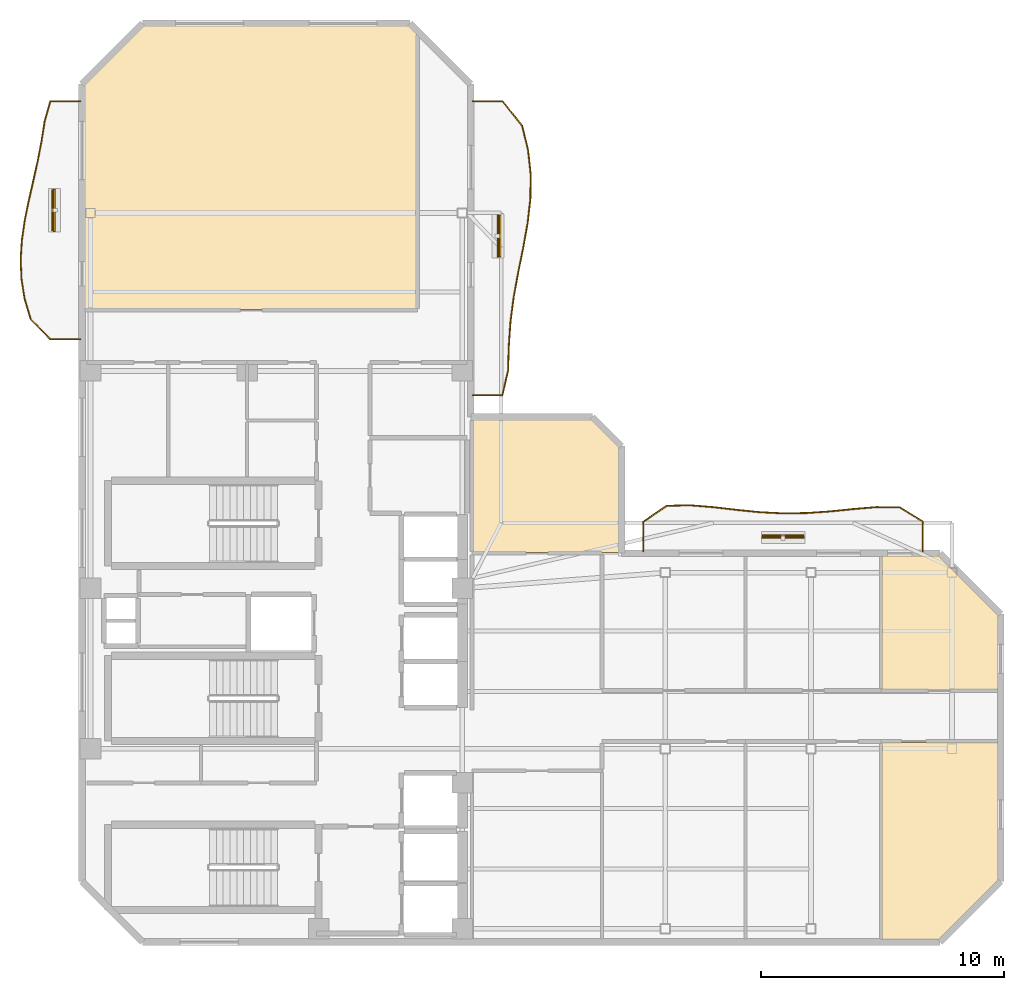
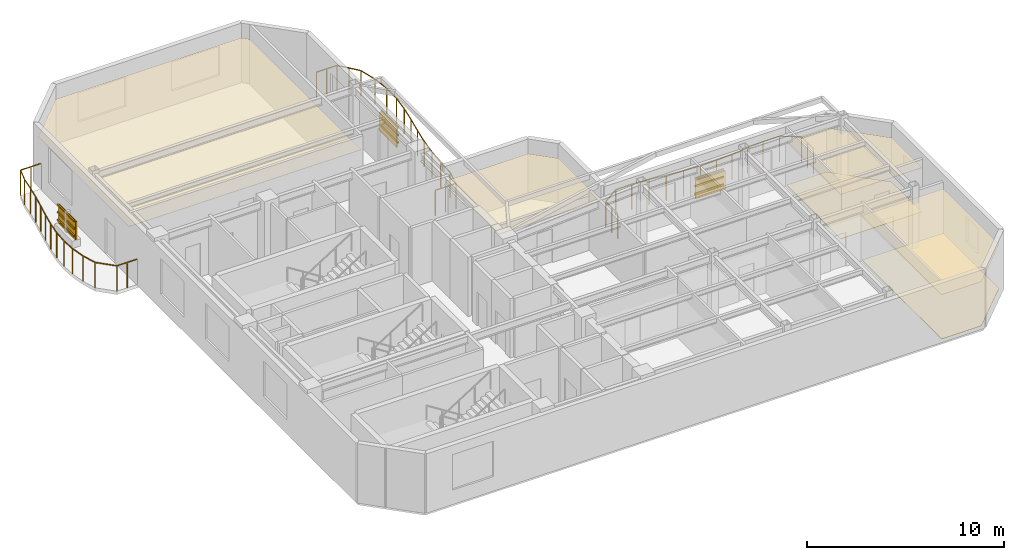
# One storey, part 7 of 7: 12 shading devices, 6 coverings, 3 railings.
"""IFC4 building model written with IfcOpenShell, lengths in metres."""

from ifc_helpers import new_model, si_unit, direction, frame, origin, origin_2d, place, context, subcontext, project, spatial, polyline, rectangle, outline, extrude, material, layer, layer_set, material_profile, profile_set, type_object, element, save


model = new_model("IFC4")

# Units and contexts
model_context = context("Model", 3, precision=1e-05, world=origin(), true_north=direction((0.0, 1.0)))
body_context = subcontext(model_context, "Body", "Model", "MODEL_VIEW")
ifc_project = project(units=[si_unit("LENGTHUNIT", "METRE"), si_unit("AREAUNIT", "SQUARE_METRE"), si_unit("VOLUMEUNIT", "CUBIC_METRE"), si_unit("PLANEANGLEUNIT", "RADIAN"), si_unit("MASSUNIT", "GRAM", prefix="KILO")], contexts=[model_context])

# Site, building, storey
site_placement = place(None, origin())
site = spatial("IfcSite", under=ifc_project, at=site_placement, CompositionType="ELEMENT")
building_placement = place(site_placement, origin())
building = spatial("IfcBuilding", under=site, at=building_placement, Name="Mawjaban Terraces University", CompositionType="ELEMENT")
storey_placement = place(building_placement, frame((0.0, 0.0, 287.199951171875)))
storey = spatial("IfcBuildingStorey", under=building, at=storey_placement, Name="L70", CompositionType="ELEMENT", Elevation=287.199951171875)

# Coverings
ifc_material_1 = material(Name="Acoustic mineral fibre ceiling tile", Category="masonry")
ifc_layer_1 = layer(ifc_material_1, 0.02001953125)
ifc_layer_set_1 = layer_set([ifc_layer_1], Name="Acoustic mineral fibre ceiling tile")
covering_type_1 = type_object("IfcCoveringType", Name="AcousticMineralCeiling_20", PredefinedType="CEILING", material=ifc_layer_set_1)
covering_1_placement = place(storey_placement, frame((0.0, 0.0, 2.75)))
element("IfcCovering", 1, at=covering_1_placement, inside=storey, type_object=covering_type_1, Name="L70 Classroom 6 Acoustic Ceiling", PredefinedType="CEILING", context=body_context, shape_type="SweptSolid", body=[
    extrude(outline(polyline([(54.909912109375, 0.114990234375), (57.2529296875, 0.114990234375), (59.68505859375, 2.547119140625), (59.68505859375, 8.219970703125), (54.909912109375, 8.219970703125), (54.909912109375, 0.114990234375)])), origin(), (0.0, 0.0, 1.0), 0.02001953125),
])
covering_2_placement = place(storey_placement, frame((0.0, 0.0, 2.75)))
element("IfcCovering", 2, at=covering_2_placement, inside=storey, type_object=covering_type_1, Name="L70 Seminar Room 7 Acoustic Ceiling", PredefinedType="CEILING", context=body_context, shape_type="SweptSolid", body=[
    extrude(outline(polyline([(59.68505859375, 10.3798828125), (59.68505859375, 13.452880859375), (57.2529296875, 15.885009765625), (54.909912109375, 15.885009765625), (54.909912109375, 10.3798828125), (59.68505859375, 10.3798828125)])), origin(), (0.0, 0.0, 1.0), 0.02001953125),
])
covering_3_placement = place(storey_placement, frame((0.0, 0.0, 2.75)))
element("IfcCovering", 3, at=covering_3_placement, inside=storey, type_object=covering_type_1, Name="L70 Collaborative Study Room 8 Acoustic Ceiling", PredefinedType="CEILING", context=body_context, shape_type="SweptSolid", body=[
    extrude(outline(polyline([(35.77001953125, 37.367919921875), (35.452880859375, 37.68505859375), (24.547119140625, 37.68505859375), (22.114990234375, 35.2529296875), (22.114990234375, 26.030029296875), (35.77001953125, 26.030029296875), (35.77001953125, 37.367919921875)])), origin(), (0.0, 0.0, 1.0), 0.02001953125),
])
covering_4_placement = place(storey_placement, frame((0.0, 0.0, 2.75)))
element("IfcCovering", 4, at=covering_4_placement, inside=storey, type_object=covering_type_1, Name="L70 Terrace Collaborative Study Room Acoustic Ceiling", PredefinedType="CEILING", context=body_context, shape_type="SweptSolid", body=[
    extrude(outline(polyline([(44.0849609375, 16.030029296875), (44.0849609375, 20.35302734375), (42.952880859375, 21.485107421875), (38.080078125, 21.485107421875), (38.080078125, 16.030029296875), (44.0849609375, 16.030029296875)])), origin(), (0.0, 0.0, 1.0), 0.02001953125),
])

# Railings
ifc_material_2 = material(Name="Galvanised powder-coated steel S355", Category="steel")
railing_type = type_object("IfcRailingType", Name="BalconyBalustrade_1600", PredefinedType="BALUSTRADE", material=ifc_material_2)
railing_1_placement = place(storey_placement, frame((21.919921875, 24.800048828125, 0.0)))
element("IfcRailing", 5, at=railing_1_placement, inside=storey, type_object=railing_type, Name="L70 Balcony Guardrail west", PredefinedType="BALUSTRADE", context=body_context, shape_type="SweptSolid", body=[
    extrude(rectangle(XDim=0.048095703125, YDim=0.048095703125, at=origin_2d()), frame((0.0, 0.0, 1.576171875), z_axis=(-1.0, 0.0, 0.0), x_axis=(0.0, -1.0, 0.0)), (0.0, 0.0, 1.0), 1.219970703125),
    extrude(rectangle(XDim=0.048095703125, YDim=0.048095703125, at=origin_2d()), frame((-1.219970703125, 0.0, 1.576171875), z_axis=(-0.703164591204, 0.711027114587, 0.0), x_axis=(-0.711027114587, -0.703164591204, 0.0)), (0.0, 0.0, 1.0), 1.14892578125),
    extrude(rectangle(XDim=0.048095703125, YDim=0.048095703125, at=origin_2d()), frame((-2.02783203125, 0.81689453125, 1.576171875), z_axis=(-0.28973721519, 0.957106235553, 0.0), x_axis=(-0.957106235553, -0.28973721519, 0.0)), (0.0, 0.0, 1.0), 0.852783203125),
    extrude(rectangle(XDim=0.048095703125, YDim=0.048095703125, at=origin_2d()), frame((-2.27490234375, 1.633056640625, 1.576171875), z_axis=(-0.161911564393, 0.986805272238, 0.0), x_axis=(-0.986805272238, -0.161911564393, 0.0)), (0.0, 0.0, 1.0), 0.827880859375),
    extrude(rectangle(XDim=0.048095703125, YDim=0.048095703125, at=origin_2d()), frame((-2.408935546875, 2.449951171875, 1.576171875), z_axis=(-0.043890717784, 0.999036338124, 0.0), x_axis=(-0.999036338124, -0.043890717784, 0.0)), (0.0, 0.0, 1.0), 0.817626953125),
    extrude(rectangle(XDim=0.048095703125, YDim=0.048095703125, at=origin_2d()), frame((-2.44482421875, 3.266845703125, 1.576171875), z_axis=(0.060909730436, 0.998143278662, 0.0), x_axis=(-0.998143278662, 0.060909730436, 0.0)), (0.0, 0.0, 1.0), 0.817626953125),
    extrude(rectangle(XDim=0.048095703125, YDim=0.048095703125, at=origin_2d()), frame((-2.39501953125, 4.0830078125, 1.576171875), z_axis=(0.144318958771, 0.989531221407, 0.0), x_axis=(-0.989531221407, 0.144318958771, 0.0)), (0.0, 0.0, 1.0), 0.825439453125),
    extrude(rectangle(XDim=0.048095703125, YDim=0.048095703125, at=origin_2d()), frame((-2.27587890625, 4.89990234375, 1.576171875), z_axis=(0.200223819976, 0.979750183421, 0.0), x_axis=(-0.979750183421, 0.200223819976, 0.0)), (0.0, 0.0, 1.0), 0.833984375),
    extrude(rectangle(XDim=0.048095703125, YDim=0.048095703125, at=origin_2d()), frame((-2.10888671875, 5.717041015625, 1.576171875), z_axis=(0.223410794453, 0.974724379977, 0.0), x_axis=(-0.974724379977, 0.223410794453, 0.0)), (0.0, 0.0, 1.0), 0.837158203125),
    extrude(rectangle(XDim=0.048095703125, YDim=0.048095703125, at=origin_2d()), frame((-1.921875, 6.532958984375, 1.576171875), z_axis=(0.216219794683, 0.976344713914, 0.0), x_axis=(-0.976344713914, 0.216219794683, 0.0)), (0.0, 0.0, 1.0), 0.836669921875),
    extrude(rectangle(XDim=0.048095703125, YDim=0.048095703125, at=origin_2d()), frame((-1.740966796875, 7.349853515625, 1.576171875), z_axis=(0.189793875394, 0.981823958183, 0.0), x_axis=(-0.981823958183, 0.189793875394, 0.0)), (0.0, 0.0, 1.0), 0.832275390625),
    extrude(rectangle(XDim=0.048095703125, YDim=0.048095703125, at=origin_2d()), frame((-1.5830078125, 8.1669921875, 1.576171875), z_axis=(0.155188381216, 0.987884895287, 0.0), x_axis=(-0.987884895287, 0.155188381216, 0.0)), (0.0, 0.0, 1.0), 0.825927734375),
    extrude(rectangle(XDim=0.048095703125, YDim=0.048095703125, at=origin_2d()), frame((-1.454833984375, 8.98291015625, 1.576171875), z_axis=(0.276237802113, 0.961089317745, 0.0), x_axis=(-0.961089317745, 0.276237802113, 0.0)), (0.0, 0.0, 1.0), 0.850341796875),
    extrude(rectangle(XDim=0.048095703125, YDim=0.048095703125, at=origin_2d()), frame((-1.219970703125, 9.800048828125, 1.576171875), z_axis=(1.0, 0.0, 0.0), x_axis=(0.0, 1.0, 0.0)), (0.0, 0.0, 1.0), 1.219970703125),
    extrude(rectangle(XDim=0.0419921875, YDim=0.0419921875, at=origin_2d()), origin(), (0.0, 0.0, 1.0), 1.552001953125),
    extrude(rectangle(XDim=0.0419921875, YDim=0.0419921875, at=origin_2d()), frame((-0.60986328125, 0.0, 0.0)), (0.0, 0.0, 1.0), 1.552001953125),
    extrude(rectangle(XDim=0.0419921875, YDim=0.0419921875, at=origin_2d()), frame((-1.219970703125, 0.0, 0.0)), (0.0, 0.0, 1.0), 1.552001953125),
    extrude(rectangle(XDim=0.0419921875, YDim=0.0419921875, at=origin_2d()), frame((-2.02783203125, 0.81689453125, 0.0)), (0.0, 0.0, 1.0), 1.552001953125),
    extrude(rectangle(XDim=0.0419921875, YDim=0.0419921875, at=origin_2d()), frame((-2.27490234375, 1.633056640625, 0.0)), (0.0, 0.0, 1.0), 1.552001953125),
    extrude(rectangle(XDim=0.0419921875, YDim=0.0419921875, at=origin_2d()), frame((-2.408935546875, 2.449951171875, 0.0)), (0.0, 0.0, 1.0), 1.552001953125),
    extrude(rectangle(XDim=0.0419921875, YDim=0.0419921875, at=origin_2d()), frame((-2.44482421875, 3.266845703125, 0.0)), (0.0, 0.0, 1.0), 1.552001953125),
    extrude(rectangle(XDim=0.0419921875, YDim=0.0419921875, at=origin_2d()), frame((-2.39501953125, 4.0830078125, 0.0)), (0.0, 0.0, 1.0), 1.552001953125),
    extrude(rectangle(XDim=0.0419921875, YDim=0.0419921875, at=origin_2d()), frame((-2.27587890625, 4.89990234375, 0.0)), (0.0, 0.0, 1.0), 1.552001953125),
    extrude(rectangle(XDim=0.0419921875, YDim=0.0419921875, at=origin_2d()), frame((-2.10888671875, 5.717041015625, 0.0)), (0.0, 0.0, 1.0), 1.552001953125),
    extrude(rectangle(XDim=0.0419921875, YDim=0.0419921875, at=origin_2d()), frame((-1.921875, 6.532958984375, 0.0)), (0.0, 0.0, 1.0), 1.552001953125),
    extrude(rectangle(XDim=0.0419921875, YDim=0.0419921875, at=origin_2d()), frame((-1.740966796875, 7.349853515625, 0.0)), (0.0, 0.0, 1.0), 1.552001953125),
    extrude(rectangle(XDim=0.0419921875, YDim=0.0419921875, at=origin_2d()), frame((-1.5830078125, 8.1669921875, 0.0)), (0.0, 0.0, 1.0), 1.552001953125),
    extrude(rectangle(XDim=0.0419921875, YDim=0.0419921875, at=origin_2d()), frame((-1.454833984375, 8.98291015625, 0.0)), (0.0, 0.0, 1.0), 1.552001953125),
    extrude(rectangle(XDim=0.0419921875, YDim=0.0419921875, at=origin_2d()), frame((-1.219970703125, 9.800048828125, 0.0)), (0.0, 0.0, 1.0), 1.552001953125),
    extrude(rectangle(XDim=0.0419921875, YDim=0.0419921875, at=origin_2d()), frame((-0.60986328125, 9.800048828125, 0.0)), (0.0, 0.0, 1.0), 1.552001953125),
    extrude(rectangle(XDim=0.0419921875, YDim=0.0419921875, at=origin_2d()), frame((0.0, 9.800048828125, 0.0)), (0.0, 0.0, 1.0), 1.552001953125),
])
railing_2_placement = place(storey_placement, frame((45.10009765625, 16.080078125, 0.0)))
element("IfcRailing", 6, at=railing_2_placement, inside=storey, type_object=railing_type, Name="L70 Balcony Guardrail inner_north", PredefinedType="BALUSTRADE", context=body_context, shape_type="SweptSolid", body=[
    extrude(rectangle(XDim=0.048095703125, YDim=0.048095703125, at=origin_2d()), frame((0.0, 0.0, 1.576171875), z_axis=(0.0, 1.0, 0.0), x_axis=(-1.0, 0.0, 0.0)), (0.0, 0.0, 1.0), 1.219970703125),
    extrude(rectangle(XDim=0.048095703125, YDim=0.048095703125, at=origin_2d()), frame((0.0, 1.219970703125, 1.576171875), z_axis=(0.827153833167, 0.561975565551, 0.0), x_axis=(-0.561975565551, 0.827153833167, 0.0)), (0.0, 0.0, 1.0), 1.158203125),
    extrude(rectangle(XDim=0.048095703125, YDim=0.048095703125, at=origin_2d()), frame((0.9580078125, 1.870849609375, 1.576171875), z_axis=(0.999682538847, 0.025195664803, 0.0), x_axis=(-0.025195664803, 0.999682538847, 0.0)), (0.0, 0.0, 1.0), 0.959228515625),
    extrude(rectangle(XDim=0.048095703125, YDim=0.048095703125, at=origin_2d()), frame((1.9169921875, 1.89501953125, 1.576171875), z_axis=(0.996608527506, -0.0822887775, 0.0), x_axis=(0.0822887775, 0.996608527506, 0.0)), (0.0, 0.0, 1.0), 0.961181640625),
    extrude(rectangle(XDim=0.048095703125, YDim=0.048095703125, at=origin_2d()), frame((2.875, 1.81591796875, 1.576171875), z_axis=(0.993344476803, -0.115181380465, 0.0), x_axis=(0.115181380465, 0.993344476803, 0.0)), (0.0, 0.0, 1.0), 0.96435546875),
    extrude(rectangle(XDim=0.048095703125, YDim=0.048095703125, at=origin_2d()), frame((3.8330078125, 1.704833984375, 1.576171875), z_axis=(0.995032172752, -0.099553880828, 0.0), x_axis=(0.099553880828, 0.995032172752, 0.0)), (0.0, 0.0, 1.0), 0.9638671875),
    extrude(rectangle(XDim=0.048095703125, YDim=0.048095703125, at=origin_2d()), frame((4.7919921875, 1.60888671875, 1.576171875), z_axis=(0.998690665791, -0.051156173248, 0.0), x_axis=(0.051156173248, 0.998690665791, 0.0)), (0.0, 0.0, 1.0), 0.959228515625),
    extrude(rectangle(XDim=0.048095703125, YDim=0.048095703125, at=origin_2d()), frame((5.75, 1.559814453125, 1.576171875), z_axis=(0.999905324448, 0.013760165015, 0.0), x_axis=(-0.013760165015, 0.999905324448, 0.0)), (0.0, 0.0, 1.0), 0.9580078125),
    extrude(rectangle(XDim=0.048095703125, YDim=0.048095703125, at=origin_2d()), frame((6.7080078125, 1.572998046875, 1.576171875), z_axis=(0.997575920892, 0.06958650772, 0.0), x_axis=(-0.06958650772, 0.997575920892, 0.0)), (0.0, 0.0, 1.0), 0.96142578125),
    extrude(rectangle(XDim=0.048095703125, YDim=0.048095703125, at=origin_2d()), frame((7.6669921875, 1.639892578125, 1.576171875), z_axis=(0.994921042981, 0.100658423564, 0.0), x_axis=(-0.100658423564, 0.994921042981, 0.0)), (0.0, 0.0, 1.0), 0.962890625),
    extrude(rectangle(XDim=0.048095703125, YDim=0.048095703125, at=origin_2d()), frame((8.625, 1.73681640625, 1.576171875), z_axis=(0.996524709254, 0.083297682119, 0.0), x_axis=(-0.083297682119, 0.996524709254, 0.0)), (0.0, 0.0, 1.0), 0.96142578125),
    extrude(rectangle(XDim=0.048095703125, YDim=0.048095703125, at=origin_2d()), frame((9.5830078125, 1.81689453125, 1.576171875), z_axis=(0.999987037804, -0.005091583696, 0.0), x_axis=(0.005091583696, 0.999987037804, 0.0)), (0.0, 0.0, 1.0), 0.958984375),
    extrude(rectangle(XDim=0.048095703125, YDim=0.048095703125, at=origin_2d()), frame((10.5419921875, 1.81201171875, 1.576171875), z_axis=(0.850666840673, -0.525705170395, 0.0), x_axis=(0.525705170395, 0.850666840673, 0.0)), (0.0, 0.0, 1.0), 1.126220703125),
    extrude(rectangle(XDim=0.048095703125, YDim=0.048095703125, at=origin_2d()), frame((11.5, 1.219970703125, 1.576171875), z_axis=(0.0, -1.0, 0.0), x_axis=(1.0, 0.0, 0.0)), (0.0, 0.0, 1.0), 1.219970703125),
    extrude(rectangle(XDim=0.0419921875, YDim=0.0419921875, at=origin_2d()), origin(), (0.0, 0.0, 1.0), 1.552001953125),
    extrude(rectangle(XDim=0.0419921875, YDim=0.0419921875, at=origin_2d()), frame((0.0, 0.60986328125, 0.0)), (0.0, 0.0, 1.0), 1.552001953125),
    extrude(rectangle(XDim=0.0419921875, YDim=0.0419921875, at=origin_2d()), frame((0.0, 1.219970703125, 0.0)), (0.0, 0.0, 1.0), 1.552001953125),
    extrude(rectangle(XDim=0.0419921875, YDim=0.0419921875, at=origin_2d()), frame((0.9580078125, 1.870849609375, 0.0)), (0.0, 0.0, 1.0), 1.552001953125),
    extrude(rectangle(XDim=0.0419921875, YDim=0.0419921875, at=origin_2d()), frame((1.9169921875, 1.89501953125, 0.0)), (0.0, 0.0, 1.0), 1.552001953125),
    extrude(rectangle(XDim=0.0419921875, YDim=0.0419921875, at=origin_2d()), frame((2.875, 1.81591796875, 0.0)), (0.0, 0.0, 1.0), 1.552001953125),
    extrude(rectangle(XDim=0.0419921875, YDim=0.0419921875, at=origin_2d()), frame((3.8330078125, 1.704833984375, 0.0)), (0.0, 0.0, 1.0), 1.552001953125),
    extrude(rectangle(XDim=0.0419921875, YDim=0.0419921875, at=origin_2d()), frame((4.7919921875, 1.60888671875, 0.0)), (0.0, 0.0, 1.0), 1.552001953125),
    extrude(rectangle(XDim=0.0419921875, YDim=0.0419921875, at=origin_2d()), frame((5.75, 1.559814453125, 0.0)), (0.0, 0.0, 1.0), 1.552001953125),
    extrude(rectangle(XDim=0.0419921875, YDim=0.0419921875, at=origin_2d()), frame((6.7080078125, 1.572998046875, 0.0)), (0.0, 0.0, 1.0), 1.552001953125),
    extrude(rectangle(XDim=0.0419921875, YDim=0.0419921875, at=origin_2d()), frame((7.6669921875, 1.639892578125, 0.0)), (0.0, 0.0, 1.0), 1.552001953125),
    extrude(rectangle(XDim=0.0419921875, YDim=0.0419921875, at=origin_2d()), frame((8.625, 1.73681640625, 0.0)), (0.0, 0.0, 1.0), 1.552001953125),
    extrude(rectangle(XDim=0.0419921875, YDim=0.0419921875, at=origin_2d()), frame((9.5830078125, 1.81689453125, 0.0)), (0.0, 0.0, 1.0), 1.552001953125),
    extrude(rectangle(XDim=0.0419921875, YDim=0.0419921875, at=origin_2d()), frame((10.5419921875, 1.81201171875, 0.0)), (0.0, 0.0, 1.0), 1.552001953125),
    extrude(rectangle(XDim=0.0419921875, YDim=0.0419921875, at=origin_2d()), frame((11.5, 1.219970703125, 0.0)), (0.0, 0.0, 1.0), 1.552001953125),
    extrude(rectangle(XDim=0.0419921875, YDim=0.0419921875, at=origin_2d()), frame((11.5, 0.60986328125, 0.0)), (0.0, 0.0, 1.0), 1.552001953125),
    extrude(rectangle(XDim=0.0419921875, YDim=0.0419921875, at=origin_2d()), frame((11.5, 0.0, 0.0)), (0.0, 0.0, 1.0), 1.552001953125),
])
railing_3_placement = place(storey_placement, frame((38.080078125, 22.5, 0.0)))
element("IfcRailing", 7, at=railing_3_placement, inside=storey, type_object=railing_type, Name="L70 Balcony Guardrail inner_east", PredefinedType="BALUSTRADE", context=body_context, shape_type="SweptSolid", body=[
    extrude(rectangle(XDim=0.048095703125, YDim=0.048095703125, at=origin_2d()), frame((0.0, 0.0, 1.576171875), z_axis=(1.0, 0.0, 0.0), x_axis=(0.0, 1.0, 0.0)), (0.0, 0.0, 1.0), 1.219970703125),
    extrude(rectangle(XDim=0.048095703125, YDim=0.048095703125, at=origin_2d()), frame((1.219970703125, 0.0, 1.576171875), z_axis=(0.226013778766, 0.974124104931, 0.0), x_axis=(-0.974124104931, 0.226013778766, 0.0)), (0.0, 0.0, 1.0), 1.034912109375),
    extrude(rectangle(XDim=0.048095703125, YDim=0.048095703125, at=origin_2d()), frame((1.453857421875, 1.008056640625, 1.576171875), z_axis=(0.030713787559, 0.999528220339, 0.0), x_axis=(-0.999528220339, 0.030713787559, 0.0)), (0.0, 0.0, 1.0), 1.009521484375),
    extrude(rectangle(XDim=0.048095703125, YDim=0.048095703125, at=origin_2d()), frame((1.48486328125, 2.01708984375, 1.576171875), z_axis=(0.069357766738, 0.997591850505, 0.0), x_axis=(-0.997591850505, 0.069357766738, 0.0)), (0.0, 0.0, 1.0), 1.01025390625),
    extrude(rectangle(XDim=0.048095703125, YDim=0.048095703125, at=origin_2d()), frame((1.554931640625, 3.02490234375, 1.576171875), z_axis=(0.128969550402, 0.991648554211, 0.0), x_axis=(-0.991648554211, 0.128969550402, 0.0)), (0.0, 0.0, 1.0), 1.0166015625),
    extrude(rectangle(XDim=0.048095703125, YDim=0.048095703125, at=origin_2d()), frame((1.68603515625, 4.032958984375, 1.576171875), z_axis=(0.179241529176, 0.983805099712, 0.0), x_axis=(-0.983805099712, 0.179241529176, 0.0)), (0.0, 0.0, 1.0), 1.025634765625),
    extrude(rectangle(XDim=0.048095703125, YDim=0.048095703125, at=origin_2d()), frame((1.869873046875, 5.0419921875, 1.576171875), z_axis=(0.198443661805, 0.980112296163, 0.0), x_axis=(-0.980112296163, 0.198443661805, 0.0)), (0.0, 0.0, 1.0), 1.028564453125),
    extrude(rectangle(XDim=0.048095703125, YDim=0.048095703125, at=origin_2d()), frame((2.073974609375, 6.050048828125, 1.576171875), z_axis=(0.177563915332, 0.984109270342, 0.0), x_axis=(-0.984109270342, 0.177563915332, 0.0)), (0.0, 0.0, 1.0), 1.0244140625),
    extrude(rectangle(XDim=0.048095703125, YDim=0.048095703125, at=origin_2d()), frame((2.255859375, 7.05810546875, 1.576171875), z_axis=(0.114204310259, 0.993457284194, 0.0), x_axis=(-0.993457284194, 0.114204310259, 0.0)), (0.0, 0.0, 1.0), 1.015380859375),
    extrude(rectangle(XDim=0.048095703125, YDim=0.048095703125, at=origin_2d()), frame((2.371826171875, 8.06689453125, 1.576171875), z_axis=(0.015014049778, 0.999887282802, 0.0), x_axis=(-0.999887282802, 0.015014049778, 0.0)), (0.0, 0.0, 1.0), 1.008056640625),
    extrude(rectangle(XDim=0.048095703125, YDim=0.048095703125, at=origin_2d()), frame((2.386962890625, 9.074951171875, 1.576171875), z_axis=(-0.106677667668, 0.994293656432, 0.0), x_axis=(-0.994293656432, -0.106677667668, 0.0)), (0.0, 0.0, 1.0), 1.013916015625),
    extrude(rectangle(XDim=0.048095703125, YDim=0.048095703125, at=origin_2d()), frame((2.27880859375, 10.0830078125, 1.576171875), z_axis=(-0.236723471326, 0.971577067516, 0.0), x_axis=(-0.971577067516, -0.236723471326, 0.0)), (0.0, 0.0, 1.0), 1.03857421875),
    extrude(rectangle(XDim=0.048095703125, YDim=0.048095703125, at=origin_2d()), frame((2.032958984375, 11.092041015625, 1.576171875), z_axis=(-0.627770875078, 0.778398181141, 0.0), x_axis=(-0.778398181141, -0.627770875078, 0.0)), (0.0, 0.0, 1.0), 1.294921875),
    extrude(rectangle(XDim=0.048095703125, YDim=0.048095703125, at=origin_2d()), frame((1.219970703125, 12.10009765625, 1.576171875), z_axis=(-1.0, 0.0, 0.0), x_axis=(0.0, -1.0, 0.0)), (0.0, 0.0, 1.0), 1.219970703125),
    extrude(rectangle(XDim=0.0419921875, YDim=0.0419921875, at=origin_2d()), origin(), (0.0, 0.0, 1.0), 1.552001953125),
    extrude(rectangle(XDim=0.0419921875, YDim=0.0419921875, at=origin_2d()), frame((0.60986328125, 0.0, 0.0)), (0.0, 0.0, 1.0), 1.552001953125),
    extrude(rectangle(XDim=0.0419921875, YDim=0.0419921875, at=origin_2d()), frame((1.219970703125, 0.0, 0.0)), (0.0, 0.0, 1.0), 1.552001953125),
    extrude(rectangle(XDim=0.0419921875, YDim=0.0419921875, at=origin_2d()), frame((1.453857421875, 1.008056640625, 0.0)), (0.0, 0.0, 1.0), 1.552001953125),
    extrude(rectangle(XDim=0.0419921875, YDim=0.0419921875, at=origin_2d()), frame((1.48486328125, 2.01708984375, 0.0)), (0.0, 0.0, 1.0), 1.552001953125),
    extrude(rectangle(XDim=0.0419921875, YDim=0.0419921875, at=origin_2d()), frame((1.554931640625, 3.02490234375, 0.0)), (0.0, 0.0, 1.0), 1.552001953125),
    extrude(rectangle(XDim=0.0419921875, YDim=0.0419921875, at=origin_2d()), frame((1.68603515625, 4.032958984375, 0.0)), (0.0, 0.0, 1.0), 1.552001953125),
    extrude(rectangle(XDim=0.0419921875, YDim=0.0419921875, at=origin_2d()), frame((1.869873046875, 5.0419921875, 0.0)), (0.0, 0.0, 1.0), 1.552001953125),
    extrude(rectangle(XDim=0.0419921875, YDim=0.0419921875, at=origin_2d()), frame((2.073974609375, 6.050048828125, 0.0)), (0.0, 0.0, 1.0), 1.552001953125),
    extrude(rectangle(XDim=0.0419921875, YDim=0.0419921875, at=origin_2d()), frame((2.255859375, 7.05810546875, 0.0)), (0.0, 0.0, 1.0), 1.552001953125),
    extrude(rectangle(XDim=0.0419921875, YDim=0.0419921875, at=origin_2d()), frame((2.371826171875, 8.06689453125, 0.0)), (0.0, 0.0, 1.0), 1.552001953125),
    extrude(rectangle(XDim=0.0419921875, YDim=0.0419921875, at=origin_2d()), frame((2.386962890625, 9.074951171875, 0.0)), (0.0, 0.0, 1.0), 1.552001953125),
    extrude(rectangle(XDim=0.0419921875, YDim=0.0419921875, at=origin_2d()), frame((2.27880859375, 10.0830078125, 0.0)), (0.0, 0.0, 1.0), 1.552001953125),
    extrude(rectangle(XDim=0.0419921875, YDim=0.0419921875, at=origin_2d()), frame((2.032958984375, 11.092041015625, 0.0)), (0.0, 0.0, 1.0), 1.552001953125),
    extrude(rectangle(XDim=0.0419921875, YDim=0.0419921875, at=origin_2d()), frame((1.62646484375, 11.59619140625, 0.0)), (0.0, 0.0, 1.0), 1.552001953125),
    extrude(rectangle(XDim=0.0419921875, YDim=0.0419921875, at=origin_2d()), frame((1.219970703125, 12.10009765625, 0.0)), (0.0, 0.0, 1.0), 1.552001953125),
    extrude(rectangle(XDim=0.0419921875, YDim=0.0419921875, at=origin_2d()), frame((0.60986328125, 12.10009765625, 0.0)), (0.0, 0.0, 1.0), 1.552001953125),
    extrude(rectangle(XDim=0.0419921875, YDim=0.0419921875, at=origin_2d()), frame((0.0, 12.10009765625, 0.0)), (0.0, 0.0, 1.0), 1.552001953125),
])

# Shading devices
ifc_material_3 = material(Name="Glazed architectural terracotta ceramic", Category="masonry")
ifc_material_profile = material_profile(ifc_material_3, rectangle(XDim=0.06494140625, YDim=0.110107421875, at=origin_2d()), Name="TBAG110X65")
ifc_profile_set = profile_set([ifc_material_profile], Name="Glazed architectural terracotta ceramic")
shading_device_type_1 = type_object("IfcShadingDeviceType", Name="TerracottaBaguette_110x65", PredefinedType="USERDEFINED", material=ifc_profile_set)
for number, where, z_axis, x_axis, name in (
    (8, (20.783935546875, 29.258056640625, 0.679931640625), (0.0, 1.0, 0.0), (-1.0, 0.0, 0.0), "L70 Horizontal Terracotta Baguette west.1"),
    (9, (20.783935546875, 29.258056640625, 1.150146484375), (0.0, 1.0, 0.0), (-1.0, 0.0, 0.0), "L70 Horizontal Terracotta Baguette west.2"),
    (10, (20.783935546875, 29.258056640625, 1.6201171875), (0.0, 1.0, 0.0), (-1.0, 0.0, 0.0), "L70 Horizontal Terracotta Baguette west.3"),
    (11, (50.0, 16.72998046875, 0.679931640625), (1.0, 0.0, 0.0), (0.0, 1.0, 0.0), "L70 Horizontal Terracotta Baguette inner_north.1"),
    (12, (50.0, 16.72998046875, 1.150146484375), (1.0, 0.0, 0.0), (0.0, 1.0, 0.0), "L70 Horizontal Terracotta Baguette inner_north.2"),
    (13, (50.0, 16.72998046875, 1.6201171875), (1.0, 0.0, 0.0), (0.0, 1.0, 0.0), "L70 Horizontal Terracotta Baguette inner_north.3"),
    (14, (39.202880859375, 28.2041015625, 0.679931640625), (0.0, 1.0, 0.0), (-1.0, 0.0, 0.0), "L70 Horizontal Terracotta Baguette inner_east.1"),
    (15, (39.202880859375, 28.2041015625, 1.150146484375), (0.0, 1.0, 0.0), (-1.0, 0.0, 0.0), "L70 Horizontal Terracotta Baguette inner_east.2"),
    (16, (39.202880859375, 28.2041015625, 1.6201171875), (0.0, 1.0, 0.0), (-1.0, 0.0, 0.0), "L70 Horizontal Terracotta Baguette inner_east.3"),
):
    element("IfcShadingDevice", number, at=place(storey_placement, frame(where, z_axis=z_axis, x_axis=x_axis)), inside=storey, type_object=shading_device_type_1, Name=name, ObjectType="BAGUETTE", PredefinedType="USERDEFINED", context=body_context, shape_type="SweptSolid", body=[
        extrude(rectangle(XDim=0.06494140625, YDim=0.110107421875, at=origin_2d()), origin(), (0.0, 0.0, 1.0), 1.699951171875),
    ])
ifc_layer_2 = layer(ifc_material_3, 0.080078125)
ifc_layer_set_2 = layer_set([ifc_layer_2], Name="Glazed architectural terracotta ceramic")
shading_device_type_2 = type_object("IfcShadingDeviceType", Name="TerracottaScreen_Perforated", PredefinedType="USERDEFINED", material=ifc_layer_set_2)
for number, where, z_axis, x_axis, name in (
    (17, (20.868896484375, 30.10791015625, 0.440185546875), (0.0, 0.0, 1.0), (0.0, 1.0, 0.0), "L70 Balcony Perforated Terracotta Screen west"),
    (18, (50.85009765625, 16.64501953125, 0.440185546875), (0.0, 0.0, 1.0), (1.0, 0.0, 0.0), "L70 Balcony Perforated Terracotta Screen inner_north"),
    (19, (39.117919921875, 29.053955078125, 0.440185546875), (0.0, 0.0, 1.0), (0.0, 1.0, 0.0), "L70 Balcony Perforated Terracotta Screen inner_east"),
):
    element("IfcShadingDevice", number, at=place(storey_placement, frame(where, z_axis=z_axis, x_axis=x_axis)), inside=storey, type_object=shading_device_type_2, Name=name, ObjectType="SCREEN", PredefinedType="USERDEFINED", context=body_context, shape_type="SweptSolid", body=[
        extrude(rectangle(XDim=1.75, YDim=0.080078125, at=origin_2d()), origin(), (0.0, 0.0, 1.0), 1.14990234375),
    ])

# Coverings
ifc_material_4 = material(Name="Polished Hijazi granite terrazzo flooring", Category="masonry")
ifc_layer_3 = layer(ifc_material_4, 0.02490234375)
ifc_layer_set_3 = layer_set([ifc_layer_3], Name="Polished Hijazi granite terrazzo flooring")
covering_type_2 = type_object("IfcCoveringType", Name="TerrazzoConcourseFlooring_25", PredefinedType="FLOORING", material=ifc_layer_set_3)
covering_5_placement = place(storey_placement, origin())
element("IfcCovering", 20, at=covering_5_placement, inside=storey, type_object=covering_type_2, Name="L70 Classroom 6 Terrazzo Flooring", PredefinedType="FLOORING", context=body_context, shape_type="SweptSolid", body=[
    extrude(outline(polyline([(54.909912109375, 0.114990234375), (57.2529296875, 0.114990234375), (59.68505859375, 2.547119140625), (59.68505859375, 8.219970703125), (54.909912109375, 8.219970703125), (54.909912109375, 0.114990234375)])), origin(), (0.0, 0.0, 1.0), 0.025146484375),
])
covering_6_placement = place(storey_placement, origin())
element("IfcCovering", 21, at=covering_6_placement, inside=storey, type_object=covering_type_2, Name="L70 Seminar Room 7 Terrazzo Flooring", PredefinedType="FLOORING", context=body_context, shape_type="SweptSolid", body=[
    extrude(outline(polyline([(59.68505859375, 10.3798828125), (59.68505859375, 13.452880859375), (57.2529296875, 15.885009765625), (54.909912109375, 15.885009765625), (54.909912109375, 10.3798828125), (59.68505859375, 10.3798828125)])), origin(), (0.0, 0.0, 1.0), 0.025146484375),
])

save(model, "model.ifc")
